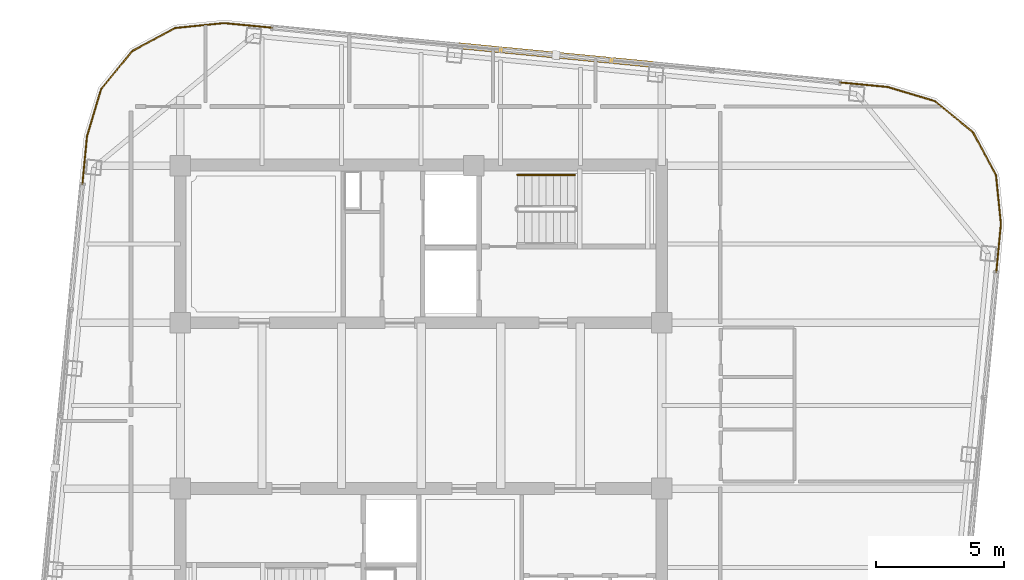
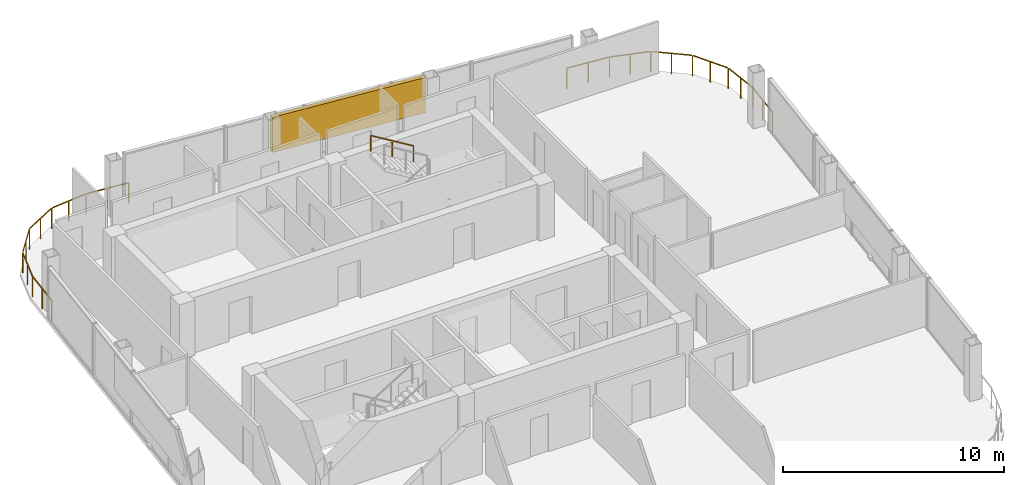
# One storey, part 22 of 22: 3 railings, 1 shading device.
"""IFC4 building model written with IfcOpenShell, lengths in metres."""

from ifc_helpers import new_model, si_unit, direction, frame, origin, origin_2d, place, context, subcontext, project, spatial, rectangle, extrude, material, type_object, element, save


model = new_model("IFC4")

# Units and contexts
model_context = context("Model", 3, precision=1e-05, world=origin(), true_north=direction((0.0, 1.0)))
body_context = subcontext(model_context, "Body", "Model", "MODEL_VIEW")
ifc_project = project(units=[si_unit("LENGTHUNIT", "METRE"), si_unit("AREAUNIT", "SQUARE_METRE"), si_unit("VOLUMEUNIT", "CUBIC_METRE"), si_unit("PLANEANGLEUNIT", "RADIAN"), si_unit("MASSUNIT", "GRAM", prefix="KILO")], contexts=[model_context])

# Site, building, storey
site_placement = place(None, origin())
site = spatial("IfcSite", under=ifc_project, at=site_placement, CompositionType="ELEMENT")
building_placement = place(site_placement, origin())
building = spatial("IfcBuilding", under=site, at=building_placement, Name="Qhalaya Broadcast Tower", CompositionType="ELEMENT")
storey_placement = place(building_placement, frame((0.0, 0.0, 252.0)))
storey = spatial("IfcBuildingStorey", under=building, at=storey_placement, Name="L74", CompositionType="ELEMENT", Elevation=252.0)

# Railings
ifc_material_1 = material(Name="Powder-Coated Galvanised Steel", Category="steel")
railing_type_1 = type_object("IfcRailingType", Name="Stair Wall Handrail 900", PredefinedType="HANDRAIL", material=ifc_material_1)
railing_1_placement = place(storey_placement, frame((5.989990234375, 9.590087890625, 1.6943359375)))
element("IfcRailing", 1, at=railing_1_placement, inside=storey, type_object=railing_type_1, Name="L74 ST-1 Stair Handrail 2", PredefinedType="HANDRAIL", context=body_context, shape_type="SweptSolid", body=[
    extrude(rectangle(XDim=0.048095703125, YDim=0.048095703125, at=origin_2d()), frame((0.0, 0.0, 0.8759765625), z_axis=(-0.855512035549, 0.0, 0.517782924622), x_axis=(0.0, -1.0, 0.0)), (0.0, 0.0, 1.0), 2.618408203125),
    extrude(rectangle(XDim=0.0419921875, YDim=0.0419921875, at=origin_2d()), origin(), (0.0, 0.0, 1.0), 0.849853515625),
    extrude(rectangle(XDim=0.0419921875, YDim=0.0419921875, at=origin_2d()), frame((-1.1201171875, 0.0, 0.677734375)), (0.0, 0.0, 1.0), 0.849853515625),
    extrude(rectangle(XDim=0.0419921875, YDim=0.0419921875, at=origin_2d()), frame((-2.239990234375, 0.0, 1.355712890625)), (0.0, 0.0, 1.0), 0.849853515625),
])
railing_type_2 = type_object("IfcRailingType", Name="Terrace, Sky-Pool & Lookout Glass Balustrade 1150", PredefinedType="BALUSTRADE", material=ifc_material_1)
railing_2_placement = place(storey_placement, frame((-13.2158203125, 8.99365234375, 0.0)))
element("IfcRailing", 2, at=railing_2_placement, inside=storey, type_object=railing_type_2, Name="L74 Rounded Corner Perimeter Guard 03", PredefinedType="BALUSTRADE", context=body_context, shape_type="SweptSolid", body=[
    extrude(rectangle(XDim=0.048095703125, YDim=0.048095703125, at=origin_2d()), frame((0.0, 0.0, 1.1259765625), z_axis=(0.095896889673, 0.995391273094, 0.0), x_axis=(-0.995391273094, 0.095896889673, 0.0)), (0.0, 0.0, 1.0), 2.08935546875),
    extrude(rectangle(XDim=0.048095703125, YDim=0.048095703125, at=origin_2d()), frame((0.21142578125, 2.135986328125, 1.1259765625), z_axis=(0.288096282124, 0.957601447485, 0.0), x_axis=(-0.957601447485, 0.288096282124, 0.0)), (0.0, 0.0, 1.0), 1.857421875),
    extrude(rectangle(XDim=0.048095703125, YDim=0.048095703125, at=origin_2d()), frame((0.773193359375, 3.96484375, 1.1259765625), z_axis=(0.63274871945, 0.774357190213, 0.0), x_axis=(-0.774357190213, 0.63274871945, 0.0)), (0.0, 0.0, 1.0), 1.845703125),
    extrude(rectangle(XDim=0.048095703125, YDim=0.048095703125, at=origin_2d()), frame((1.984619140625, 5.429931640625, 1.1259765625), z_axis=(0.880878554058, 0.473342342286, 0.0), x_axis=(-0.473342342286, 0.880878554058, 0.0)), (0.0, 0.0, 1.0), 1.845458984375),
    extrude(rectangle(XDim=0.048095703125, YDim=0.048095703125, at=origin_2d()), frame((3.66455078125, 6.320068359375, 1.1259765625), z_axis=(0.994980230152, 0.100071682341, 0.0), x_axis=(-0.100071682341, 0.994980230152, 0.0)), (0.0, 0.0, 1.0), 1.857421875),
    extrude(rectangle(XDim=0.048095703125, YDim=0.048095703125, at=origin_2d()), frame((5.570068359375, 6.506103515625, 1.1259765625), z_axis=(0.995402268864, -0.095782687057, 0.0), x_axis=(0.095782687057, 0.995402268864, 0.0)), (0.0, 0.0, 1.0), 2.08935546875),
    extrude(rectangle(XDim=0.0419921875, YDim=0.0419921875, at=origin_2d()), origin(), (0.0, 0.0, 1.0), 1.099853515625),
    extrude(rectangle(XDim=0.0419921875, YDim=0.0419921875, at=origin_2d()), frame((0.1015625, 1.05419921875, 0.0)), (0.0, 0.0, 1.0), 1.099853515625),
    extrude(rectangle(XDim=0.0419921875, YDim=0.0419921875, at=origin_2d()), frame((0.203125, 2.1083984375, 0.0)), (0.0, 0.0, 1.0), 1.099853515625),
    extrude(rectangle(XDim=0.0419921875, YDim=0.0419921875, at=origin_2d()), frame((0.47900390625, 3.025390625, 0.0)), (0.0, 0.0, 1.0), 1.099853515625),
    extrude(rectangle(XDim=0.0419921875, YDim=0.0419921875, at=origin_2d()), frame((0.7548828125, 3.9423828125, 0.0)), (0.0, 0.0, 1.0), 1.099853515625),
    extrude(rectangle(XDim=0.0419921875, YDim=0.0419921875, at=origin_2d()), frame((1.35693359375, 4.67919921875, 0.0)), (0.0, 0.0, 1.0), 1.099853515625),
    extrude(rectangle(XDim=0.0419921875, YDim=0.0419921875, at=origin_2d()), frame((1.959228515625, 5.416259765625, 0.0)), (0.0, 0.0, 1.0), 1.099853515625),
    extrude(rectangle(XDim=0.0419921875, YDim=0.0419921875, at=origin_2d()), frame((2.79736328125, 5.86669921875, 0.0)), (0.0, 0.0, 1.0), 1.099853515625),
    extrude(rectangle(XDim=0.0419921875, YDim=0.0419921875, at=origin_2d()), frame((3.6357421875, 6.317138671875, 0.0)), (0.0, 0.0, 1.0), 1.099853515625),
    extrude(rectangle(XDim=0.0419921875, YDim=0.0419921875, at=origin_2d()), frame((4.58837890625, 6.4130859375, 0.0)), (0.0, 0.0, 1.0), 1.099853515625),
    extrude(rectangle(XDim=0.0419921875, YDim=0.0419921875, at=origin_2d()), frame((5.541259765625, 6.5087890625, 0.0)), (0.0, 0.0, 1.0), 1.099853515625),
    extrude(rectangle(XDim=0.0419921875, YDim=0.0419921875, at=origin_2d()), frame((6.595458984375, 6.4072265625, 0.0)), (0.0, 0.0, 1.0), 1.099853515625),
    extrude(rectangle(XDim=0.0419921875, YDim=0.0419921875, at=origin_2d()), frame((7.649658203125, 6.305908203125, 0.0)), (0.0, 0.0, 1.0), 1.099853515625),
])
railing_3_placement = place(storey_placement, frame((16.07373046875, 13.2158203125, 0.0)))
element("IfcRailing", 3, at=railing_3_placement, inside=storey, type_object=railing_type_2, Name="L74 Rounded Corner Perimeter Guard 04", PredefinedType="BALUSTRADE", context=body_context, shape_type="SweptSolid", body=[
    extrude(rectangle(XDim=0.048095703125, YDim=0.048095703125, at=origin_2d()), frame((0.0, 0.0, 1.1259765625), z_axis=(0.995391273094, -0.095896889673, 0.0), x_axis=(0.095896889673, 0.995391273094, 0.0)), (0.0, 0.0, 1.0), 2.08935546875),
    extrude(rectangle(XDim=0.048095703125, YDim=0.048095703125, at=origin_2d()), frame((2.135986328125, -0.21142578125, 1.1259765625), z_axis=(0.957601447485, -0.288096282124, 0.0), x_axis=(0.288096282124, 0.957601447485, 0.0)), (0.0, 0.0, 1.0), 1.857421875),
    extrude(rectangle(XDim=0.048095703125, YDim=0.048095703125, at=origin_2d()), frame((3.96484375, -0.773193359375, 1.1259765625), z_axis=(0.774357190213, -0.63274871945, 0.0), x_axis=(0.63274871945, 0.774357190213, 0.0)), (0.0, 0.0, 1.0), 1.845703125),
    extrude(rectangle(XDim=0.048095703125, YDim=0.048095703125, at=origin_2d()), frame((5.429931640625, -1.984619140625, 1.1259765625), z_axis=(0.473242797018, -0.880932037714, 0.0), x_axis=(0.880932037714, 0.473242797018, 0.0)), (0.0, 0.0, 1.0), 1.845458984375),
    extrude(rectangle(XDim=0.048095703125, YDim=0.048095703125, at=origin_2d()), frame((6.31982421875, -3.66455078125, 1.1259765625), z_axis=(0.100197883148, -0.994967529225, 0.0), x_axis=(0.994967529225, 0.100197883148, 0.0)), (0.0, 0.0, 1.0), 1.857421875),
    extrude(rectangle(XDim=0.048095703125, YDim=0.048095703125, at=origin_2d()), frame((6.506103515625, -5.570068359375, 1.1259765625), z_axis=(-0.095896889673, -0.995391273094, 0.0), x_axis=(0.995391273094, -0.095896889673, 0.0)), (0.0, 0.0, 1.0), 2.08935546875),
    extrude(rectangle(XDim=0.0419921875, YDim=0.0419921875, at=origin_2d()), origin(), (0.0, 0.0, 1.0), 1.099853515625),
    extrude(rectangle(XDim=0.0419921875, YDim=0.0419921875, at=origin_2d()), frame((1.05419921875, -0.1015625, 0.0)), (0.0, 0.0, 1.0), 1.099853515625),
    extrude(rectangle(XDim=0.0419921875, YDim=0.0419921875, at=origin_2d()), frame((2.1083984375, -0.203125, 0.0)), (0.0, 0.0, 1.0), 1.099853515625),
    extrude(rectangle(XDim=0.0419921875, YDim=0.0419921875, at=origin_2d()), frame((3.025390625, -0.47900390625, 0.0)), (0.0, 0.0, 1.0), 1.099853515625),
    extrude(rectangle(XDim=0.0419921875, YDim=0.0419921875, at=origin_2d()), frame((3.9423828125, -0.7548828125, 0.0)), (0.0, 0.0, 1.0), 1.099853515625),
    extrude(rectangle(XDim=0.0419921875, YDim=0.0419921875, at=origin_2d()), frame((4.67919921875, -1.35693359375, 0.0)), (0.0, 0.0, 1.0), 1.099853515625),
    extrude(rectangle(XDim=0.0419921875, YDim=0.0419921875, at=origin_2d()), frame((5.416259765625, -1.959228515625, 0.0)), (0.0, 0.0, 1.0), 1.099853515625),
    extrude(rectangle(XDim=0.0419921875, YDim=0.0419921875, at=origin_2d()), frame((5.86669921875, -2.79736328125, 0.0)), (0.0, 0.0, 1.0), 1.099853515625),
    extrude(rectangle(XDim=0.0419921875, YDim=0.0419921875, at=origin_2d()), frame((6.31689453125, -3.6357421875, 0.0)), (0.0, 0.0, 1.0), 1.099853515625),
    extrude(rectangle(XDim=0.0419921875, YDim=0.0419921875, at=origin_2d()), frame((6.412841796875, -4.58837890625, 0.0)), (0.0, 0.0, 1.0), 1.099853515625),
    extrude(rectangle(XDim=0.0419921875, YDim=0.0419921875, at=origin_2d()), frame((6.5087890625, -5.541259765625, 0.0)), (0.0, 0.0, 1.0), 1.099853515625),
    extrude(rectangle(XDim=0.0419921875, YDim=0.0419921875, at=origin_2d()), frame((6.4072265625, -6.595458984375, 0.0)), (0.0, 0.0, 1.0), 1.099853515625),
    extrude(rectangle(XDim=0.0419921875, YDim=0.0419921875, at=origin_2d()), frame((6.3056640625, -7.649658203125, 0.0)), (0.0, 0.0, 1.0), 1.099853515625),
])

# Shading device
ifc_material_2 = material(Name="Fired Architectural Terracotta", Category="masonry")
shading_device_type = type_object("IfcShadingDeviceType", Name="Terracotta Baguette Solar Screen Assembly TBS-01", PredefinedType="USERDEFINED", material=ifc_material_2)
shading_device_placement = place(storey_placement, frame((5.25390625, 14.2578125, 0.80078125), z_axis=(0.0, 0.0, 1.0), x_axis=(-0.995396198367, 0.09584575252, 0.0)))
element("IfcShadingDevice", 4, at=shading_device_placement, inside=storey, type_object=shading_device_type, Name="L74 Fired Terracotta Baguette Screen N", ObjectType="BAGUETTE", PredefinedType="USERDEFINED", context=body_context, shape_type="SweptSolid", body=[
    extrude(rectangle(XDim=7.60009765625, YDim=0.239990234375, at=origin_2d()), origin(), (0.0, 0.0, 1.0), 1.945068359375),
])

save(model, "model.ifc")
